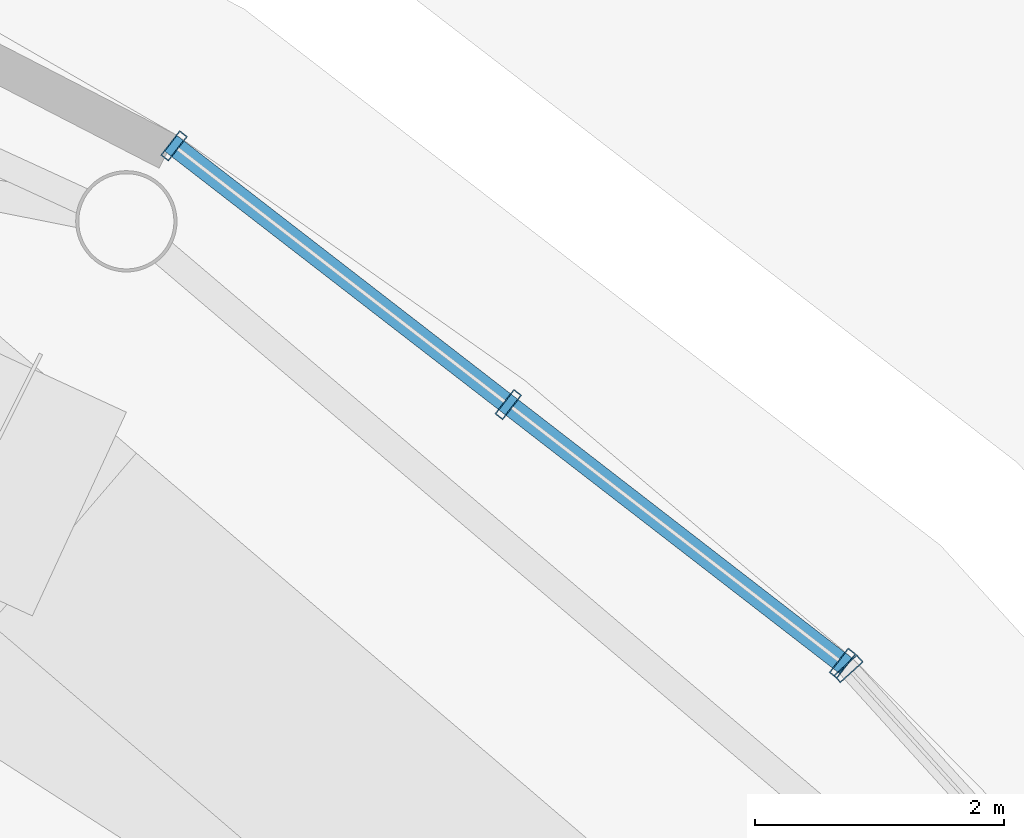
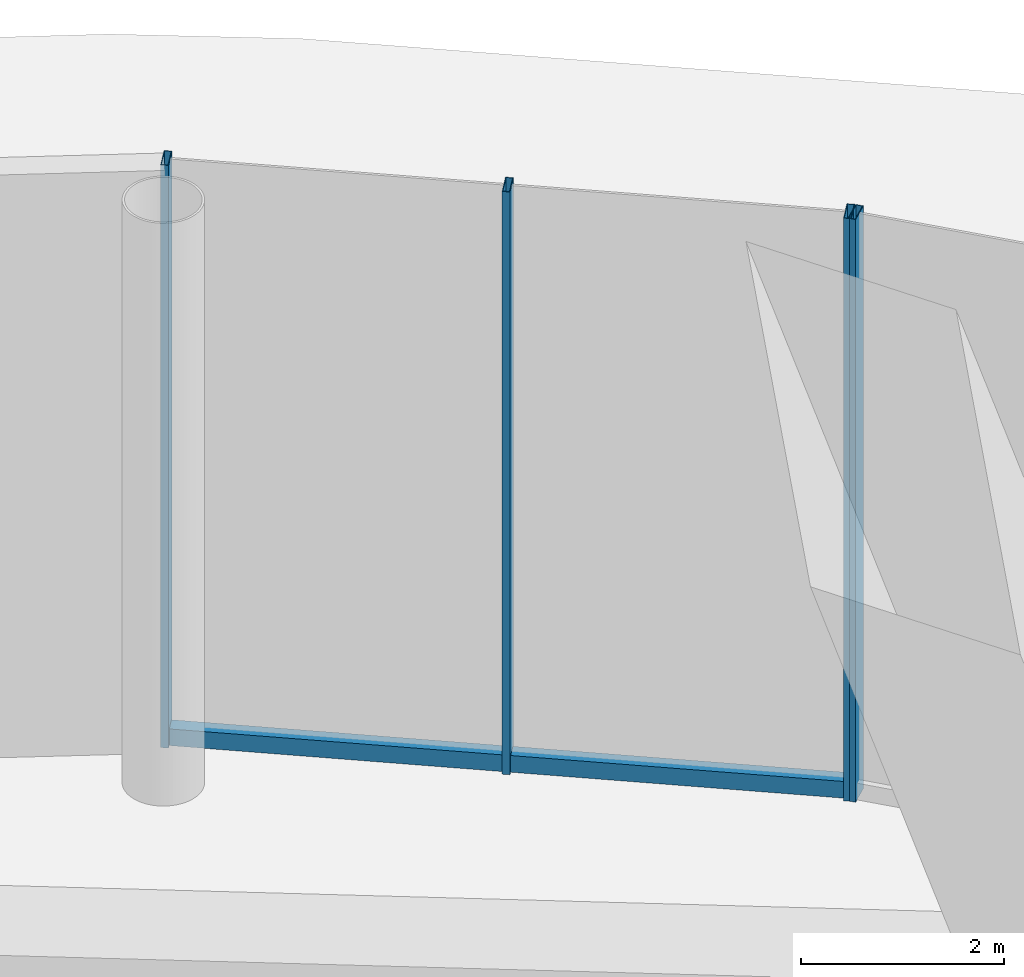
# One storey, part 49 of 67: 5 members, 2 elements without a shape of their own.
"""IFC4 building model written with IfcOpenShell, lengths in metres."""

from ifc_helpers import new_model, si_unit, direction, frame, origin, origin_2d, place, context, subcontext, project, spatial, hollow_rectangle, extrude, material, layer, layer_set, material_profile, profile_set, type_object, element, aggregate, save


model = new_model("IFC4")

# Units and contexts
model_context = context("Model", 3, precision=1e-05, world=origin(), true_north=direction((0.0, 1.0)))
body_context = subcontext(model_context, "Body", "Model", "MODEL_VIEW")
ifc_project = project(units=[si_unit("LENGTHUNIT", "METRE"), si_unit("AREAUNIT", "SQUARE_METRE"), si_unit("VOLUMEUNIT", "CUBIC_METRE"), si_unit("PLANEANGLEUNIT", "RADIAN"), si_unit("MASSUNIT", "GRAM", prefix="KILO")], contexts=[model_context])

# Site, building, storey
site_placement = place(None, origin())
site = spatial("IfcSite", under=ifc_project, at=site_placement, CompositionType="ELEMENT")
building_placement = place(site_placement, origin())
building = spatial("IfcBuilding", under=site, at=building_placement, Name="Nagisa Residences", CompositionType="ELEMENT")
storey_placement = place(building_placement, origin())
storey = spatial("IfcBuildingStorey", under=building, at=storey_placement, Name="L00", CompositionType="ELEMENT", Elevation=0.0)

# Curtain wall, member
ifc_material_1 = material(Name="Stainless steel curtain wall system", Category="steel")
ifc_layer = layer(ifc_material_1, 0.159912109375)
ifc_layer_set = layer_set([ifc_layer], Name="CW3 CURTAIN WALL")
curtain_wall_type = type_object("IfcCurtainWallType", Name="CW3 CURTAIN WALL", PredefinedType="NOTDEFINED", material=ifc_layer_set)
curtain_wall_1_placement = place(storey_placement, origin())
curtain_wall_1 = element("IfcCurtainWall", 1, at=curtain_wall_1_placement, inside=storey, type_object=curtain_wall_type, Name="cw:CW3:L00:04", PredefinedType="NOTDEFINED")
ifc_material_2 = material(Name="Stainless steel", Category="steel")
ifc_material_profile_1 = material_profile(ifc_material_2, hollow_rectangle(XDim=0.25, YDim=0.080078125, WallThickness=0.008056640625, at=origin_2d()), Name="CW3 MULLION 250x80")
ifc_profile_set_1 = profile_set([ifc_material_profile_1], Name="Stainless steel")
member_type_1 = type_object("IfcMemberType", Name="CW3 MULLION 250x80", PredefinedType="MULLION", material=ifc_profile_set_1)
member_1_placement = place(storey_placement, frame((27.993408203125, 32.090576171875, 0.0), z_axis=(0.0, 0.0, 1.0), x_axis=(-0.741535779122, -0.670913323971, 0.0)))
member_1 = element("IfcMember", 2, at=member_1_placement, type_object=member_type_1, Name="CW3 mullion", PredefinedType="MULLION", context=body_context, shape_type="SweptSolid", body=[
    extrude(hollow_rectangle(XDim=0.25, YDim=0.080078125, WallThickness=0.008056640625, at=origin_2d()), origin(), (0.0, 0.0, 1.0), 7.0),
])
aggregate(curtain_wall_1, [member_1])

# Curtain wall, members
curtain_wall_2_placement = place(storey_placement, origin())
curtain_wall_2 = element("IfcCurtainWall", 3, at=curtain_wall_2_placement, inside=storey, type_object=curtain_wall_type, Name="cw:CW3:L00:05", PredefinedType="NOTDEFINED")
member_2_placement = place(storey_placement, frame((27.9453125, 32.135009765625, 0.0), z_axis=(0.0, 0.0, 1.0), x_axis=(-0.612034757172, -0.790830864353, 0.0)))
member_2 = element("IfcMember", 4, at=member_2_placement, type_object=member_type_1, Name="CW3 mullion", PredefinedType="MULLION", context=body_context, shape_type="SweptSolid", body=[
    extrude(hollow_rectangle(XDim=0.25, YDim=0.080078125, WallThickness=0.008056640625, at=origin_2d()), origin(), (0.0, 0.0, 1.0), 7.0),
])
member_3_placement = place(storey_placement, frame((25.263916015625, 34.210205078125, 0.0), z_axis=(0.0, 0.0, 1.0), x_axis=(-0.612034757172, -0.790830864353, 0.0)))
member_3 = element("IfcMember", 5, at=member_3_placement, type_object=member_type_1, Name="CW3 mullion", PredefinedType="MULLION", context=body_context, shape_type="SweptSolid", body=[
    extrude(hollow_rectangle(XDim=0.25, YDim=0.080078125, WallThickness=0.008056640625, at=origin_2d()), origin(), (0.0, 0.0, 1.0), 7.0),
])
member_4_placement = place(storey_placement, frame((22.582763671875, 36.285400390625, 0.0), z_axis=(0.0, 0.0, 1.0), x_axis=(-0.612034757172, -0.790830864353, 0.0)))
member_4 = element("IfcMember", 6, at=member_4_placement, type_object=member_type_1, Name="CW3 mullion", PredefinedType="MULLION", context=body_context, shape_type="SweptSolid", body=[
    extrude(hollow_rectangle(XDim=0.25, YDim=0.080078125, WallThickness=0.008056640625, at=origin_2d()), origin(), (0.0, 0.0, 1.0), 7.0),
])
ifc_material_3 = material(Name="Stainless steel", Category="steel")
ifc_material_profile_2 = material_profile(ifc_material_3, hollow_rectangle(XDim=0.159912109375, YDim=0.199951171875, WallThickness=0.008056640625, at=origin_2d()), Name="CW3 TRANSOM 160x200")
ifc_profile_set_2 = profile_set([ifc_material_profile_2], Name="Stainless steel")
member_type_2 = type_object("IfcMemberType", Name="CW3 TRANSOM 160x200", PredefinedType="USERDEFINED", material=ifc_profile_set_2)
member_5_placement = place(storey_placement, frame((27.97705078125, 32.110595703125, 0.10009765625), z_axis=(-0.790834819486, 0.612029646576, 0.0), x_axis=(-0.612029646576, -0.790834819486, 0.0)))
member_5 = element("IfcMember", 7, at=member_5_placement, type_object=member_type_2, Name="CW3 transom", ObjectType="TRANSOM", PredefinedType="USERDEFINED", context=body_context, shape_type="SweptSolid", body=[
    extrude(hollow_rectangle(XDim=0.159912109375, YDim=0.199951171875, WallThickness=0.008056640625, at=origin_2d()), origin(), (0.0, 0.0, 1.0), 6.861083984375),
])
aggregate(curtain_wall_2, [member_2, member_3, member_4, member_5])

save(model, "model.ifc")
